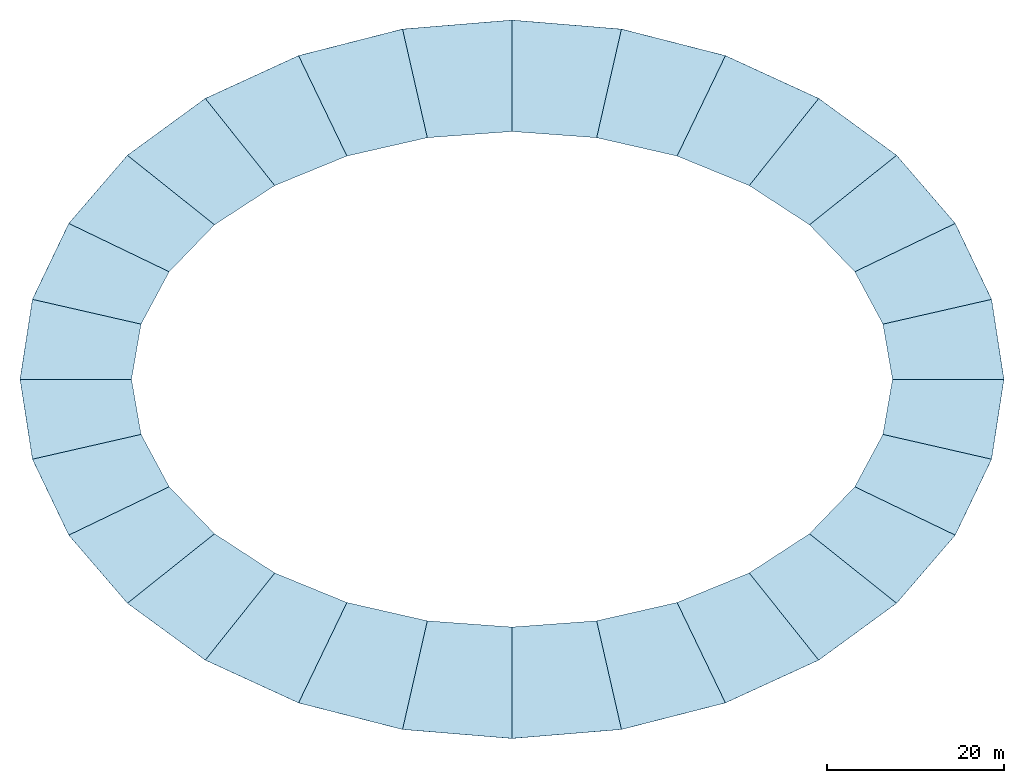
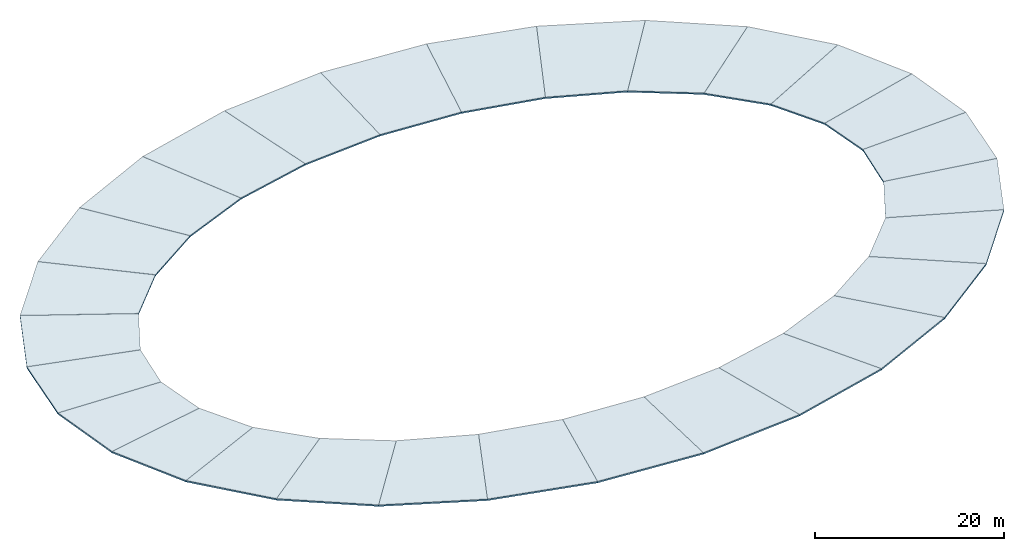
# One storey, part 1 of 2: 28 slabs.
"""IFC4 building model written with IfcOpenShell, lengths in metres."""

from ifc_helpers import new_model, si_unit, direction, frame, origin, place, context, subcontext, project, spatial, polyline, outline, extrude, material, layer, layer_set, type_object, element, save


model = new_model("IFC4")

# Units and contexts
model_context = context("Model", 3, precision=1e-05, world=origin(), true_north=direction((0.0, 1.0)))
body_context = subcontext(model_context, "Body", "Model", "MODEL_VIEW")
ifc_project = project(units=[si_unit("LENGTHUNIT", "METRE"), si_unit("AREAUNIT", "SQUARE_METRE"), si_unit("VOLUMEUNIT", "CUBIC_METRE"), si_unit("PLANEANGLEUNIT", "RADIAN"), si_unit("MASSUNIT", "GRAM", prefix="KILO")], contexts=[model_context])

# Site, building, storey
site_placement = place(None, origin())
site = spatial("IfcSite", under=ifc_project, at=site_placement, CompositionType="ELEMENT")
building_placement = place(site_placement, origin())
building = spatial("IfcBuilding", under=site, at=building_placement, Name="Zevraka Park Crest Stadium", CompositionType="ELEMENT")
storey_placement = place(building_placement, frame((0.0, 0.0, 37.0)))
storey = spatial("IfcBuildingStorey", under=building, at=storey_placement, Name="ROOF-2", CompositionType="ELEMENT", Elevation=37.0)

# Slabs
ifc_material = material(Name="Concrete C35/45", Category="concrete")
ifc_layer = layer(ifc_material, 0.179931640625)
ifc_layer_set = layer_set([ifc_layer], Name="Concrete C35/45")
slab_type = type_object("IfcSlabType", Name="RS01", PredefinedType="ROOF", material=ifc_layer_set)
slab_1_placement = place(storey_placement, frame((167.60009765625, 92.0, 2.0400390625), z_axis=(-0.031585536186, -0.004875029451, 0.999489163519), x_axis=(-0.152506770896, 0.988302425794, 9.9581e-07)))
element("IfcSlab", 1, at=slab_1_placement, inside=storey, type_object=slab_type, Name="Canopy Arched Roof Deck Slab RS01 INNER-01", PredefinedType="ROOF", context=body_context, shape_type="SweptSolid", body=[
    extrude(outline(polyline([(0.0, 0.0), (9.140861407095617, 0.0), (8.244053884635429, 12.574139539713032), (1.9215998100070513, 12.459071918428958), (0.0, 0.0)])), origin(), (0.0, 0.0, -1.0), 0.179931640625),
])
slab_2_placement = place(storey_placement, frame((166.2060546875, 101.033935546875, 2.0400390625), z_axis=(-0.028974255212, -0.01388155298, 0.999483764261), x_axis=(-0.432106234298, 0.901822711113, -1.257217e-06)))
element("IfcSlab", 2, at=slab_2_placement, inside=storey, type_object=slab_type, Name="Canopy Arched Roof Deck Slab RS01 INNER-02", PredefinedType="ROOF", context=body_context, shape_type="SweptSolid", body=[
    extrude(outline(polyline([(0.0, 0.0), (9.516317686847113, 0.0), (9.491308360223696, 12.606387970841228), (2.7801759439905784, 12.295463522340926), (0.0, 0.0)])), origin(), (0.0, 0.0, -1.0), 0.179931640625),
])
slab_3_placement = place(storey_placement, frame((162.093994140625, 109.615966796875, 2.0400390625), z_axis=(-0.02447316822, -0.021070624275, 0.999478410387), x_axis=(-0.652251449059, 0.7580026696, 8.934676e-06)))
element("IfcSlab", 3, at=slab_3_placement, inside=storey, type_object=slab_type, Name="Canopy Arched Roof Deck Slab RS01 INNER-03", PredefinedType="ROOF", context=body_context, shape_type="SweptSolid", body=[
    extrude(outline(polyline([(0.0, 0.0), (10.155631955816379, 0.0), (10.62616935375355, 12.597767846666413), (3.260356373097797, 12.177124615649074), (0.0, 0.0)])), origin(), (0.0, 0.0, -1.0), 0.179931640625),
])
slab_4_placement = place(storey_placement, frame((155.469970703125, 117.31396484375, 2.0400390625), z_axis=(-0.019052281634, -0.026107024264, 0.999477580463), x_axis=(-0.80763945236, 0.589676618952, 7.331324e-06)))
element("IfcSlab", 4, at=slab_4_placement, inside=storey, type_object=slab_type, Name="Canopy Arched Roof Deck Slab RS01 INNER-04", PredefinedType="ROOF", context=body_context, shape_type="SweptSolid", body=[
    extrude(outline(polyline([(0.0, 0.0), (10.900850095684557, 0.0), (11.436823772109268, 12.594970464770451), (3.323639124672637, 12.160084222670553), (0.0, 0.0)])), origin(), (0.0, 0.0, -1.0), 0.179931640625),
])
slab_5_placement = place(storey_placement, frame((146.666015625, 123.741943359375, 2.0400390625), z_axis=(-0.013436128405, -0.029270751657, 0.999481212205), x_axis=(-0.908887950384, 0.41704039807, -4.851801e-06)))
element("IfcSlab", 5, at=slab_5_placement, inside=storey, type_object=slab_type, Name="Canopy Arched Roof Deck Slab RS01 INNER-05", PredefinedType="ROOF", context=body_context, shape_type="SweptSolid", body=[
    extrude(outline(polyline([(0.0, 0.0), (11.598780054824747, 0.0), (11.833445951319938, 12.604259878243687), (3.0319924991578406, 12.235898228084453), (0.0, 0.0)])), origin(), (0.0, 0.0, -1.0), 0.179931640625),
])
slab_6_placement = place(storey_placement, frame((136.1240234375, 128.5791015625, 2.0400390625), z_axis=(-0.007937627947, -0.031064048694, 0.99948587731), x_axis=(-0.968869652971, 0.247571394859, 4.3053e-08)))
element("IfcSlab", 6, at=slab_6_placement, inside=storey, type_object=slab_type, Name="Canopy Arched Roof Deck Slab RS01 INNER-06", PredefinedType="ROOF", context=body_context, shape_type="SweptSolid", body=[
    extrude(outline(polyline([(0.0, 0.0), (12.129550237344574, 0.0), (11.805066145741675, 12.60219049555967), (2.48640706810382, 12.358494270000104), (0.0, 0.0)])), origin(), (0.0, 0.0, -1.0), 0.179931640625),
])
slab_7_placement = place(storey_placement, frame((124.3720703125, 131.58203125, 2.0400390625), z_axis=(-0.002618365504, -0.031839640538, 0.999489560452), x_axis=(-0.996631487268, 0.082010234627, 1.631717e-06)))
element("IfcSlab", 7, at=slab_7_placement, inside=storey, type_object=slab_type, Name="Canopy Arched Roof Deck Slab RS01 INNER-07", PredefinedType="ROOF", context=body_context, shape_type="SweptSolid", body=[
    extrude(outline(polyline([(0.0, 0.0), (12.413886700971936, 0.0), (11.380549080943359, 12.564066615903524), (1.7871008328674856, 12.478880328909614), (0.0, 0.0)])), origin(), (0.0, 0.0, -1.0), 0.179931640625),
])
slab_8_placement = place(storey_placement, frame((112.0, 132.60009765625, 2.0400390625), z_axis=(0.002618365504, -0.031839640538, 0.999489560452), x_axis=(-0.996631487268, -0.082010234627, -1.631717e-06)))
element("IfcSlab", 8, at=slab_8_placement, inside=storey, type_object=slab_type, Name="Canopy Arched Roof Deck Slab RS01 INNER-08", PredefinedType="ROOF", context=body_context, shape_type="SweptSolid", body=[
    extrude(outline(polyline([(0.0, 0.0), (12.413886700971936, 0.0), (10.62678586810445, 12.478880328909613), (1.0333376200285787, 12.564066615903524), (0.0, 0.0)])), origin(), (0.0, 0.0, -1.0), 0.179931640625),
])
slab_9_placement = place(storey_placement, frame((99.6279296875, 131.58203125, 2.0400390625), z_axis=(0.007937627947, -0.031064048694, 0.99948587731), x_axis=(-0.968869652971, -0.247571394859, -4.3053e-08)))
element("IfcSlab", 9, at=slab_9_placement, inside=storey, type_object=slab_type, Name="Canopy Arched Roof Deck Slab RS01 INNER-09", PredefinedType="ROOF", context=body_context, shape_type="SweptSolid", body=[
    extrude(outline(polyline([(0.0, 0.0), (12.129550237344574, 0.0), (9.643143169240755, 12.358494270000104), (0.32448409160290076, 12.60219049555967), (0.0, 0.0)])), origin(), (0.0, 0.0, -1.0), 0.179931640625),
])
slab_10_placement = place(storey_placement, frame((87.8759765625, 128.5791015625, 2.0400390625), z_axis=(0.013436128405, -0.029270751657, 0.999481212205), x_axis=(-0.908887950384, -0.41704039807, 4.851801e-06)))
element("IfcSlab", 10, at=slab_10_placement, inside=storey, type_object=slab_type, Name="Canopy Arched Roof Deck Slab RS01 INNER-10", PredefinedType="ROOF", context=body_context, shape_type="SweptSolid", body=[
    extrude(outline(polyline([(0.0, 0.0), (11.598780054824747, 0.0), (8.566787555666906, 12.235898228084453), (-0.2346658964951892, 12.604259878243687), (0.0, 0.0)])), origin(), (0.0, 0.0, -1.0), 0.179931640625),
])
slab_11_placement = place(storey_placement, frame((77.333984375, 123.741943359375, 2.0400390625), z_axis=(0.019052281634, -0.026107024264, 0.999477580463), x_axis=(-0.80763945236, -0.589676618952, -7.331324e-06)))
element("IfcSlab", 11, at=slab_11_placement, inside=storey, type_object=slab_type, Name="Canopy Arched Roof Deck Slab RS01 INNER-11", PredefinedType="ROOF", context=body_context, shape_type="SweptSolid", body=[
    extrude(outline(polyline([(0.0, 0.0), (10.900850095684557, 0.0), (7.577210971011921, 12.160084222670553), (-0.5359736764247107, 12.594970464770451), (0.0, 0.0)])), origin(), (0.0, 0.0, -1.0), 0.179931640625),
])
slab_12_placement = place(storey_placement, frame((68.530029296875, 117.31396484375, 2.0400390625), z_axis=(0.02447316822, -0.021070624275, 0.999478410387), x_axis=(-0.652251449059, -0.7580026696, -8.934676e-06)))
element("IfcSlab", 12, at=slab_12_placement, inside=storey, type_object=slab_type, Name="Canopy Arched Roof Deck Slab RS01 INNER-12", PredefinedType="ROOF", context=body_context, shape_type="SweptSolid", body=[
    extrude(outline(polyline([(0.0, 0.0), (10.155631955816379, 0.0), (6.895275582718582, 12.177124615649074), (-0.47053739793717164, 12.597767846666413), (0.0, 0.0)])), origin(), (0.0, 0.0, -1.0), 0.179931640625),
])
slab_13_placement = place(storey_placement, frame((61.906005859375, 109.615966796875, 2.0400390625), z_axis=(0.028974255212, -0.01388155298, 0.999483764261), x_axis=(-0.432106234298, -0.901822711113, 1.257217e-06)))
element("IfcSlab", 13, at=slab_13_placement, inside=storey, type_object=slab_type, Name="Canopy Arched Roof Deck Slab RS01 INNER-13", PredefinedType="ROOF", context=body_context, shape_type="SweptSolid", body=[
    extrude(outline(polyline([(0.0, 0.0), (9.516317686847113, 0.0), (6.736141742856535, 12.295463522340926), (0.025009326623416418, 12.606387970841228), (0.0, 0.0)])), origin(), (0.0, 0.0, -1.0), 0.179931640625),
])
slab_14_placement = place(storey_placement, frame((57.7939453125, 101.033935546875, 2.0400390625), z_axis=(0.031585536186, -0.004875029451, 0.999489163519), x_axis=(-0.152506770896, -0.988302425794, -9.9581e-07)))
element("IfcSlab", 14, at=slab_14_placement, inside=storey, type_object=slab_type, Name="Canopy Arched Roof Deck Slab RS01 INNER-14", PredefinedType="ROOF", context=body_context, shape_type="SweptSolid", body=[
    extrude(outline(polyline([(0.0, 0.0), (9.140861407095617, 0.0), (7.2192615970885665, 12.459071918428958), (0.8968075224601902, 12.574139539713034), (0.0, 0.0)])), origin(), (0.0, 0.0, -1.0), 0.179931640625),
])
slab_15_placement = place(storey_placement, frame((56.39990234375, 92.0, 2.0400390625), z_axis=(0.031585536186, 0.004875029451, 0.999489163519), x_axis=(0.152506770896, -0.988302425794, 9.9581e-07)))
element("IfcSlab", 15, at=slab_15_placement, inside=storey, type_object=slab_type, Name="Canopy Arched Roof Deck Slab RS01 INNER-15", PredefinedType="ROOF", context=body_context, shape_type="SweptSolid", body=[
    extrude(outline(polyline([(0.0, 0.0), (9.140861407095617, 0.0), (8.244053884635429, 12.574139539713032), (1.9215998100070513, 12.459071918428958), (0.0, 0.0)])), origin(), (0.0, 0.0, -1.0), 0.179931640625),
])
slab_16_placement = place(storey_placement, frame((57.7939453125, 82.966064453125, 2.0400390625), z_axis=(0.028974255212, 0.01388155298, 0.999483764261), x_axis=(0.432106234298, -0.901822711113, -1.257217e-06)))
element("IfcSlab", 16, at=slab_16_placement, inside=storey, type_object=slab_type, Name="Canopy Arched Roof Deck Slab RS01 INNER-16", PredefinedType="ROOF", context=body_context, shape_type="SweptSolid", body=[
    extrude(outline(polyline([(0.0, 0.0), (9.516317686847113, 0.0), (9.491308360223696, 12.606387970841228), (2.7801759439905784, 12.295463522340926), (0.0, 0.0)])), origin(), (0.0, 0.0, -1.0), 0.179931640625),
])
slab_17_placement = place(storey_placement, frame((61.906005859375, 74.384033203125, 2.0400390625), z_axis=(0.02447316822, 0.021070624275, 0.999478410387), x_axis=(0.652251449059, -0.7580026696, 8.934676e-06)))
element("IfcSlab", 17, at=slab_17_placement, inside=storey, type_object=slab_type, Name="Canopy Arched Roof Deck Slab RS01 INNER-17", PredefinedType="ROOF", context=body_context, shape_type="SweptSolid", body=[
    extrude(outline(polyline([(0.0, 0.0), (10.155631955816379, 0.0), (10.62616935375355, 12.597767846666413), (3.260356373097797, 12.177124615649074), (0.0, 0.0)])), origin(), (0.0, 0.0, -1.0), 0.179931640625),
])
slab_18_placement = place(storey_placement, frame((68.530029296875, 66.68603515625, 2.0400390625), z_axis=(0.019052281634, 0.026107024264, 0.999477580463), x_axis=(0.80763945236, -0.589676618952, 7.331324e-06)))
element("IfcSlab", 18, at=slab_18_placement, inside=storey, type_object=slab_type, Name="Canopy Arched Roof Deck Slab RS01 INNER-18", PredefinedType="ROOF", context=body_context, shape_type="SweptSolid", body=[
    extrude(outline(polyline([(0.0, 0.0), (10.900850095684557, 0.0), (11.436823772109268, 12.594970464770451), (3.323639124672637, 12.160084222670553), (0.0, 0.0)])), origin(), (0.0, 0.0, -1.0), 0.179931640625),
])
slab_19_placement = place(storey_placement, frame((77.333984375, 60.258056640625, 2.0400390625), z_axis=(0.013436128405, 0.029270751657, 0.999481212205), x_axis=(0.908887950384, -0.41704039807, -4.851801e-06)))
element("IfcSlab", 19, at=slab_19_placement, inside=storey, type_object=slab_type, Name="Canopy Arched Roof Deck Slab RS01 INNER-19", PredefinedType="ROOF", context=body_context, shape_type="SweptSolid", body=[
    extrude(outline(polyline([(0.0, 0.0), (11.598780054824747, 0.0), (11.833445951319938, 12.604259878243687), (3.0319924991578406, 12.235898228084453), (0.0, 0.0)])), origin(), (0.0, 0.0, -1.0), 0.179931640625),
])
slab_20_placement = place(storey_placement, frame((87.8759765625, 55.4208984375, 2.0400390625), z_axis=(0.007937627947, 0.031064048694, 0.99948587731), x_axis=(0.968869652971, -0.247571394859, 4.3053e-08)))
element("IfcSlab", 20, at=slab_20_placement, inside=storey, type_object=slab_type, Name="Canopy Arched Roof Deck Slab RS01 INNER-20", PredefinedType="ROOF", context=body_context, shape_type="SweptSolid", body=[
    extrude(outline(polyline([(0.0, 0.0), (12.129550237344574, 0.0), (11.805066145741675, 12.60219049555967), (2.48640706810382, 12.358494270000104), (0.0, 0.0)])), origin(), (0.0, 0.0, -1.0), 0.179931640625),
])
slab_21_placement = place(storey_placement, frame((99.6279296875, 52.41796875, 2.0400390625), z_axis=(0.002618365504, 0.031839640538, 0.999489560452), x_axis=(0.996631487268, -0.082010234627, 1.631717e-06)))
element("IfcSlab", 21, at=slab_21_placement, inside=storey, type_object=slab_type, Name="Canopy Arched Roof Deck Slab RS01 INNER-21", PredefinedType="ROOF", context=body_context, shape_type="SweptSolid", body=[
    extrude(outline(polyline([(0.0, 0.0), (12.413886700971936, 0.0), (11.380549080943359, 12.564066615903524), (1.7871008328674856, 12.478880328909614), (0.0, 0.0)])), origin(), (0.0, 0.0, -1.0), 0.179931640625),
])
slab_22_placement = place(storey_placement, frame((112.0, 51.39990234375, 2.0400390625), z_axis=(-0.002618365504, 0.031839640538, 0.999489560452), x_axis=(0.996631487268, 0.082010234627, -1.631717e-06)))
element("IfcSlab", 22, at=slab_22_placement, inside=storey, type_object=slab_type, Name="Canopy Arched Roof Deck Slab RS01 INNER-22", PredefinedType="ROOF", context=body_context, shape_type="SweptSolid", body=[
    extrude(outline(polyline([(0.0, 0.0), (12.413886700971936, 0.0), (10.62678586810445, 12.478880328909613), (1.0333376200285787, 12.564066615903524), (0.0, 0.0)])), origin(), (0.0, 0.0, -1.0), 0.179931640625),
])
slab_23_placement = place(storey_placement, frame((124.3720703125, 52.41796875, 2.0400390625), z_axis=(-0.007937627947, 0.031064048694, 0.99948587731), x_axis=(0.968869652971, 0.247571394859, -4.3053e-08)))
element("IfcSlab", 23, at=slab_23_placement, inside=storey, type_object=slab_type, Name="Canopy Arched Roof Deck Slab RS01 INNER-23", PredefinedType="ROOF", context=body_context, shape_type="SweptSolid", body=[
    extrude(outline(polyline([(0.0, 0.0), (12.129550237344574, 0.0), (9.643143169240755, 12.358494270000104), (0.32448409160290076, 12.60219049555967), (0.0, 0.0)])), origin(), (0.0, 0.0, -1.0), 0.179931640625),
])
slab_24_placement = place(storey_placement, frame((136.1240234375, 55.4208984375, 2.0400390625), z_axis=(-0.013436128405, 0.029270751657, 0.999481212205), x_axis=(0.908887950384, 0.41704039807, 4.851801e-06)))
element("IfcSlab", 24, at=slab_24_placement, inside=storey, type_object=slab_type, Name="Canopy Arched Roof Deck Slab RS01 INNER-24", PredefinedType="ROOF", context=body_context, shape_type="SweptSolid", body=[
    extrude(outline(polyline([(0.0, 0.0), (11.598780054824747, 0.0), (8.566787555666906, 12.235898228084453), (-0.2346658964951892, 12.604259878243687), (0.0, 0.0)])), origin(), (0.0, 0.0, -1.0), 0.179931640625),
])
slab_25_placement = place(storey_placement, frame((146.666015625, 60.258056640625, 2.0400390625), z_axis=(-0.019052281634, 0.026107024264, 0.999477580463), x_axis=(0.80763945236, 0.589676618952, -7.331324e-06)))
element("IfcSlab", 25, at=slab_25_placement, inside=storey, type_object=slab_type, Name="Canopy Arched Roof Deck Slab RS01 INNER-25", PredefinedType="ROOF", context=body_context, shape_type="SweptSolid", body=[
    extrude(outline(polyline([(0.0, 0.0), (10.900850095684557, 0.0), (7.577210971011921, 12.160084222670553), (-0.5359736764247107, 12.594970464770451), (0.0, 0.0)])), origin(), (0.0, 0.0, -1.0), 0.179931640625),
])
slab_26_placement = place(storey_placement, frame((155.469970703125, 66.68603515625, 2.0400390625), z_axis=(-0.02447316822, 0.021070624275, 0.999478410387), x_axis=(0.652251449059, 0.7580026696, -8.934676e-06)))
element("IfcSlab", 26, at=slab_26_placement, inside=storey, type_object=slab_type, Name="Canopy Arched Roof Deck Slab RS01 INNER-26", PredefinedType="ROOF", context=body_context, shape_type="SweptSolid", body=[
    extrude(outline(polyline([(0.0, 0.0), (10.155631955816379, 0.0), (6.895275582718582, 12.177124615649074), (-0.47053739793717164, 12.597767846666413), (0.0, 0.0)])), origin(), (0.0, 0.0, -1.0), 0.179931640625),
])
slab_27_placement = place(storey_placement, frame((162.093994140625, 74.384033203125, 2.0400390625), z_axis=(-0.028974255212, 0.01388155298, 0.999483764261), x_axis=(0.432106234298, 0.901822711113, 1.257217e-06)))
element("IfcSlab", 27, at=slab_27_placement, inside=storey, type_object=slab_type, Name="Canopy Arched Roof Deck Slab RS01 INNER-27", PredefinedType="ROOF", context=body_context, shape_type="SweptSolid", body=[
    extrude(outline(polyline([(0.0, 0.0), (9.516317686847113, 0.0), (6.736141742856535, 12.295463522340926), (0.025009326623416418, 12.606387970841228), (0.0, 0.0)])), origin(), (0.0, 0.0, -1.0), 0.179931640625),
])
slab_28_placement = place(storey_placement, frame((166.2060546875, 82.966064453125, 2.0400390625), z_axis=(-0.031585536186, 0.004875029451, 0.999489163519), x_axis=(0.152506770896, 0.988302425794, -9.9581e-07)))
element("IfcSlab", 28, at=slab_28_placement, inside=storey, type_object=slab_type, Name="Canopy Arched Roof Deck Slab RS01 INNER-28", PredefinedType="ROOF", context=body_context, shape_type="SweptSolid", body=[
    extrude(outline(polyline([(0.0, 0.0), (9.140861407095617, 0.0), (7.2192615970885665, 12.459071918428958), (0.8968075224601902, 12.574139539713034), (0.0, 0.0)])), origin(), (0.0, 0.0, -1.0), 0.179931640625),
])

save(model, "model.ifc")
